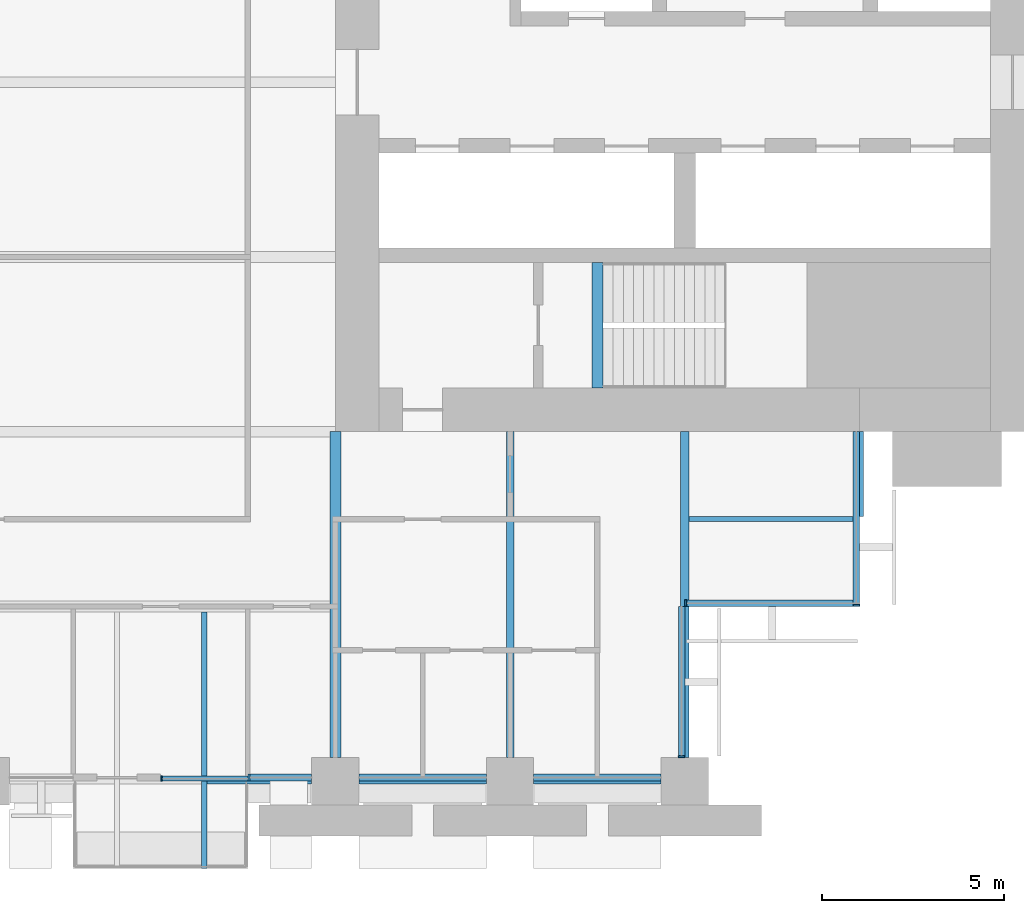
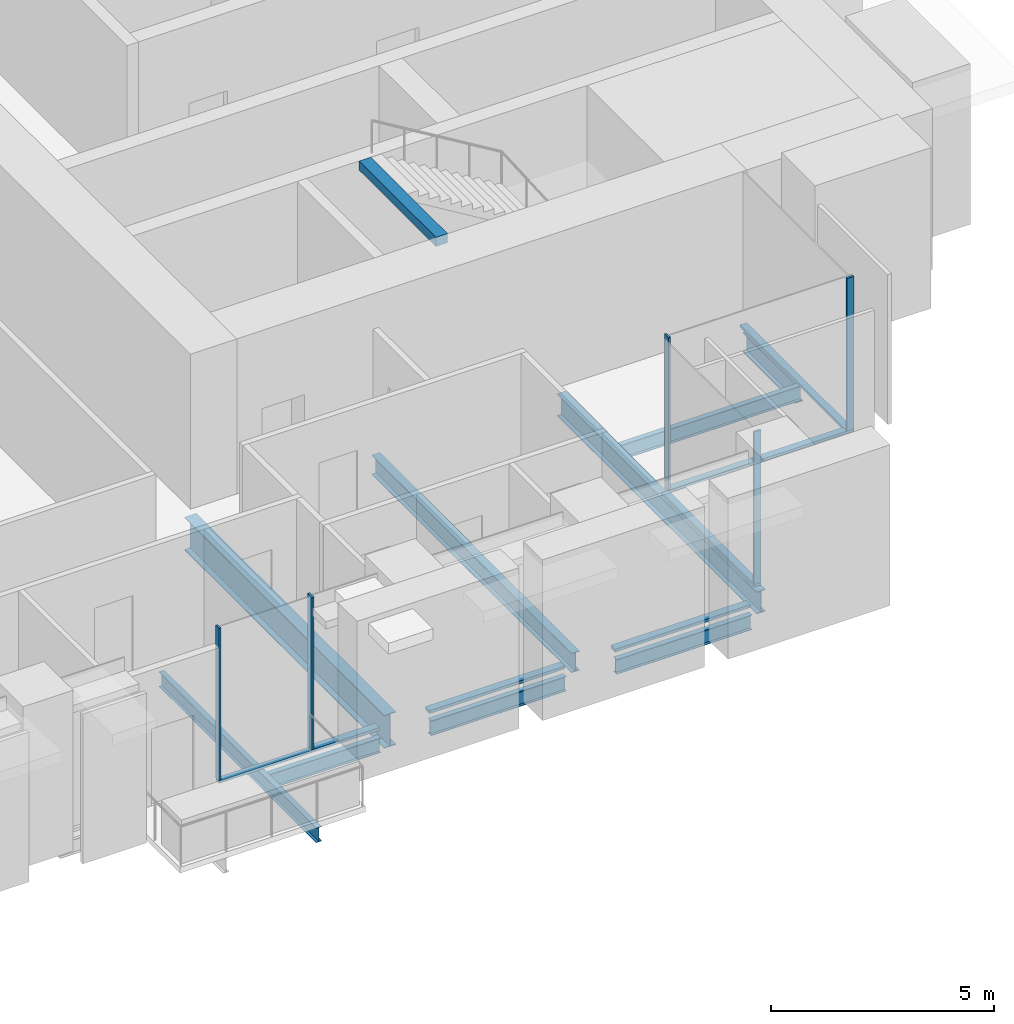
# One storey, part 4 of 15: 12 members, 10 beams, 5 elements without a shape of their own.
"""IFC4 building model written with IfcOpenShell, lengths in metres."""

from ifc_helpers import new_model, si_unit, direction, frame, origin, origin_2d, place, context, subcontext, project, spatial, rectangle, i_section, extrude, material, material_profile, profile_set, type_object, element, aggregate, save


model = new_model("IFC4")

# Units and contexts
model_context = context("Model", 3, precision=1e-05, world=origin(), true_north=direction((0.0, 1.0)))
body_context = subcontext(model_context, "Body", "Model", "MODEL_VIEW")
ifc_project = project(units=[si_unit("LENGTHUNIT", "METRE"), si_unit("AREAUNIT", "SQUARE_METRE"), si_unit("VOLUMEUNIT", "CUBIC_METRE"), si_unit("PLANEANGLEUNIT", "RADIAN"), si_unit("MASSUNIT", "GRAM", prefix="KILO")], contexts=[model_context])

# Site, building, storey
site_placement = place(None, origin())
site = spatial("IfcSite", under=ifc_project, at=site_placement, CompositionType="ELEMENT")
building_placement = place(site_placement, origin())
building = spatial("IfcBuilding", under=site, at=building_placement, Name="Baori Bourse Tower", CompositionType="ELEMENT")
storey_placement = place(building_placement, frame((0.0, 0.0, 34.60009765625)))
storey = spatial("IfcBuildingStorey", under=building, at=storey_placement, Name="L06", CompositionType="ELEMENT", Elevation=34.60009765625)

# Beam
ifc_material_1 = material(Name="Steel A992 Gr 50", Category="steel")
ifc_material_profile_1 = material_profile(ifc_material_1, i_section(OverallWidth=0.140380859375, OverallDepth=0.40380859375, WebThickness=0.007080078125, FlangeThickness=0.01123046875, at=origin_2d()), Name="W16x31")
ifc_profile_set_1 = profile_set([ifc_material_profile_1], Name="Steel A992 Gr 50")
beam_type_1 = type_object("IfcBeamType", Name="Balcony beam W16x31", PredefinedType="BEAM", material=ifc_profile_set_1)
beam_1_placement = place(storey_placement, frame((34.800048828125, -2.39990234375, -0.362060546875), z_axis=(0.0, 1.0, 0.0), x_axis=(-1.0, 0.0, 0.0)))
element("IfcBeam", 1, at=beam_1_placement, inside=storey, type_object=beam_type_1, Name="Balcony beam L06", PredefinedType="BEAM", context=body_context, shape_type="SweptSolid", body=[
    extrude(i_section(OverallWidth=0.140380859375, OverallDepth=0.40380859375, WebThickness=0.007080078125, FlangeThickness=0.01123046875, at=origin_2d()), origin(), (0.0, 0.0, 1.0), 7.050048828125),
])

# Curtain wall, members
ifc_material_2 = material(Name="Pale anodised aluminium", Category="aluminium")
curtain_wall_type_1 = type_object("IfcCurtainWallType", Name="CW1 Curtain wall", PredefinedType="NOTDEFINED", material=ifc_material_2)
curtain_wall_1_placement = place(storey_placement, origin())
curtain_wall_1 = element("IfcCurtainWall", 2, at=curtain_wall_1_placement, inside=storey, type_object=curtain_wall_type_1, Name="Curtain wall CW1 L06 16", PredefinedType="NOTDEFINED")
ifc_material_3 = material(Name="Pale anodised aluminium", Category="aluminium")
ifc_material_profile_2 = material_profile(ifc_material_3, rectangle(XDim=0.199951171875, YDim=0.06005859375, at=origin_2d()), Name="Mullion 60x200")
ifc_profile_set_2 = profile_set([ifc_material_profile_2], Name="Pale anodised aluminium")
member_type_1 = type_object("IfcMemberType", Name="CW1 Curtain wall mullion", PredefinedType="MULLION", material=ifc_profile_set_2)
member_1_placement = place(storey_placement, frame((36.030029296875, 0.10009765625, 0.079833984375), z_axis=(0.0, 0.0, 1.0), x_axis=(0.0, 1.0, 0.0)))
member_1 = element("IfcMember", 3, at=member_1_placement, type_object=member_type_1, Name="Curtain wall CW1 mullion", PredefinedType="MULLION", context=body_context, shape_type="SweptSolid", body=[
    extrude(rectangle(XDim=0.199951171875, YDim=0.06005859375, at=origin_2d()), origin(), (0.0, 0.0, 1.0), 4.16015625),
])
ifc_material_4 = material(Name="Pale anodised aluminium", Category="aluminium")
ifc_material_profile_3 = material_profile(ifc_material_4, rectangle(XDim=0.199951171875, YDim=0.080078125, at=origin_2d()), Name="Transom 80x200")
ifc_profile_set_3 = profile_set([ifc_material_profile_3], Name="Pale anodised aluminium")
member_type_2 = type_object("IfcMemberType", Name="CW1 Curtain wall transom", PredefinedType="USERDEFINED", material=ifc_profile_set_3)
member_2_placement = place(storey_placement, frame((36.0, 0.10009765625, 0.039794921875), z_axis=(1.0, 0.0, 0.0), x_axis=(0.0, 1.0, 0.0)))
member_2 = element("IfcMember", 4, at=member_2_placement, type_object=member_type_2, Name="Curtain wall CW1 sill rail", ObjectType="TRANSOM", PredefinedType="USERDEFINED", context=body_context, shape_type="SweptSolid", body=[
    extrude(rectangle(XDim=0.199951171875, YDim=0.080078125, at=origin_2d()), origin(), (0.0, 0.0, 1.0), 1.75),
])
member_3_placement = place(storey_placement, frame((39.050048828125, 0.10009765625, 0.039794921875), z_axis=(1.0, 0.0, 0.0), x_axis=(0.0, 1.0, 0.0)))
member_3 = element("IfcMember", 5, at=member_3_placement, type_object=member_type_2, Name="Curtain wall CW1 sill rail", ObjectType="TRANSOM", PredefinedType="USERDEFINED", context=body_context, shape_type="SweptSolid", body=[
    extrude(rectangle(XDim=0.199951171875, YDim=0.080078125, at=origin_2d()), origin(), (0.0, 0.0, 1.0), 3.5),
])
member_4_placement = place(storey_placement, frame((43.85009765625, 0.10009765625, 0.039794921875), z_axis=(1.0, 0.0, 0.0), x_axis=(0.0, 1.0, 0.0)))
member_4 = element("IfcMember", 6, at=member_4_placement, type_object=member_type_2, Name="Curtain wall CW1 sill rail", ObjectType="TRANSOM", PredefinedType="USERDEFINED", context=body_context, shape_type="SweptSolid", body=[
    extrude(rectangle(XDim=0.199951171875, YDim=0.080078125, at=origin_2d()), origin(), (0.0, 0.0, 1.0), 3.5),
])
aggregate(curtain_wall_1, [member_2, member_1, member_3, member_4])

# Curtain wall, member
ifc_material_5 = material(Name="Pale anodised aluminium", Category="aluminium")
curtain_wall_type_2 = type_object("IfcCurtainWallType", Name="CW2 Curtain wall", PredefinedType="NOTDEFINED", material=ifc_material_5)
curtain_wall_2_placement = place(storey_placement, origin())
curtain_wall_2 = element("IfcCurtainWall", 7, at=curtain_wall_2_placement, inside=storey, type_object=curtain_wall_type_2, Name="Curtain wall CW2 L06 17", PredefinedType="NOTDEFINED")
ifc_material_6 = material(Name="Pale anodised aluminium", Category="aluminium")
ifc_material_profile_4 = material_profile(ifc_material_6, rectangle(XDim=0.179931640625, YDim=0.054931640625, at=origin_2d()), Name="Mullion 55x180")
ifc_profile_set_4 = profile_set([ifc_material_profile_4], Name="Pale anodised aluminium")
member_type_3 = type_object("IfcMemberType", Name="CW2 Curtain wall mullion", PredefinedType="MULLION", material=ifc_profile_set_4)
member_5_placement = place(storey_placement, frame((47.909912109375, 0.677490234375, 0.06982421875), z_axis=(0.0, 0.0, 1.0), x_axis=(-1.0, 0.0, 0.0)))
member_5 = element("IfcMember", 8, at=member_5_placement, type_object=member_type_3, Name="Curtain wall CW2 mullion", PredefinedType="MULLION", context=body_context, shape_type="SweptSolid", body=[
    extrude(rectangle(XDim=0.179931640625, YDim=0.054931640625, at=origin_2d()), origin(), (0.0, 0.0, 1.0), 4.170166015625),
])

curtain_wall_3_placement = place(storey_placement, origin())
curtain_wall_3 = element("IfcCurtainWall", 9, at=curtain_wall_3_placement, inside=storey, type_object=curtain_wall_type_2, Name="Curtain wall CW2 L06 18", PredefinedType="NOTDEFINED")
member_6_placement = place(storey_placement, frame((48.027587890625, 4.889892578125, 0.06982421875), z_axis=(0.0, 0.0, 1.0), x_axis=(0.0, 1.0, 0.0)))
member_6 = element("IfcMember", 10, at=member_6_placement, type_object=member_type_3, Name="Curtain wall CW2 mullion", PredefinedType="MULLION", context=body_context, shape_type="SweptSolid", body=[
    extrude(rectangle(XDim=0.179931640625, YDim=0.054931640625, at=origin_2d()), origin(), (0.0, 0.0, 1.0), 4.170166015625),
])

curtain_wall_4_placement = place(storey_placement, origin())
curtain_wall_4 = element("IfcCurtainWall", 11, at=curtain_wall_4_placement, inside=storey, type_object=curtain_wall_type_2, Name="Curtain wall CW2 L06 19", PredefinedType="NOTDEFINED")
member_7_placement = place(storey_placement, frame((52.7099609375, 4.827392578125, 0.06982421875), z_axis=(0.0, 0.0, 1.0), x_axis=(-1.0, 0.0, 0.0)))
member_7 = element("IfcMember", 12, at=member_7_placement, type_object=member_type_3, Name="Curtain wall CW2 mullion", PredefinedType="MULLION", context=body_context, shape_type="SweptSolid", body=[
    extrude(rectangle(XDim=0.179931640625, YDim=0.054931640625, at=origin_2d()), origin(), (0.0, 0.0, 1.0), 4.170166015625),
])

# Member
ifc_material_7 = material(Name="Pale anodised aluminium", Category="aluminium")
ifc_material_profile_5 = material_profile(ifc_material_7, rectangle(XDim=0.179931640625, YDim=0.070068359375, at=origin_2d()), Name="Transom 70x180")
ifc_profile_set_5 = profile_set([ifc_material_profile_5], Name="Pale anodised aluminium")
member_type_4 = type_object("IfcMemberType", Name="CW2 Curtain wall transom", PredefinedType="USERDEFINED", material=ifc_profile_set_5)
member_8_placement = place(storey_placement, frame((47.909912109375, 0.64990234375, 0.034912109375), z_axis=(0.0, 1.0, 0.0), x_axis=(-1.0, 0.0, 0.0)))
member_8 = element("IfcMember", 13, at=member_8_placement, type_object=member_type_4, Name="Curtain wall CW2 sill rail", ObjectType="TRANSOM", PredefinedType="USERDEFINED", context=body_context, shape_type="SweptSolid", body=[
    extrude(rectangle(XDim=0.179931640625, YDim=0.070068359375, at=origin_2d()), origin(), (0.0, 0.0, 1.0), 4.150146484375),
])

aggregate(curtain_wall_2, [member_8, member_5])

member_9_placement = place(storey_placement, frame((48.0, 4.889892578125, 0.034912109375), z_axis=(1.0, 0.0, 0.0), x_axis=(0.0, 1.0, 0.0)))
member_9 = element("IfcMember", 14, at=member_9_placement, type_object=member_type_4, Name="Curtain wall CW2 sill rail", ObjectType="TRANSOM", PredefinedType="USERDEFINED", context=body_context, shape_type="SweptSolid", body=[
    extrude(rectangle(XDim=0.179931640625, YDim=0.070068359375, at=origin_2d()), origin(), (0.0, 0.0, 1.0), 4.800048828125),
])

aggregate(curtain_wall_3, [member_9, member_6])

member_10_placement = place(storey_placement, frame((52.7099609375, 4.800048828125, 0.034912109375), z_axis=(0.0, 1.0, 0.0), x_axis=(-1.0, 0.0, 0.0)))
member_10 = element("IfcMember", 15, at=member_10_placement, type_object=member_type_4, Name="Curtain wall CW2 sill rail", ObjectType="TRANSOM", PredefinedType="USERDEFINED", context=body_context, shape_type="SweptSolid", body=[
    extrude(rectangle(XDim=0.179931640625, YDim=0.070068359375, at=origin_2d()), origin(), (0.0, 0.0, 1.0), 4.800048828125),
])

aggregate(curtain_wall_4, [member_10, member_7])

# Curtain wall, members
ifc_material_8 = material(Name="Pale anodised aluminium", Category="aluminium")
curtain_wall_type_3 = type_object("IfcCurtainWallType", Name="CW6 Curtain wall", PredefinedType="NOTDEFINED", material=ifc_material_8)
curtain_wall_5_placement = place(storey_placement, origin())
curtain_wall_5 = element("IfcCurtainWall", 16, at=curtain_wall_5_placement, inside=storey, type_object=curtain_wall_type_3, Name="Curtain wall CW6 L06 15", PredefinedType="NOTDEFINED")
ifc_material_9 = material(Name="Pale anodised aluminium", Category="aluminium")
ifc_material_profile_6 = material_profile(ifc_material_9, rectangle(XDim=0.14990234375, YDim=0.050048828125, at=origin_2d()), Name="Mullion 50x150")
ifc_profile_set_6 = profile_set([ifc_material_profile_6], Name="Pale anodised aluminium")
member_type_5 = type_object("IfcMemberType", Name="CW6 Curtain wall mullion", PredefinedType="MULLION", material=ifc_profile_set_6)
member_11_placement = place(storey_placement, frame((33.625, 0.074951171875, 0.06494140625), z_axis=(0.0, 0.0, 1.0), x_axis=(0.0, 1.0, 0.0)))
member_11 = element("IfcMember", 17, at=member_11_placement, type_object=member_type_5, Name="Curtain wall CW6 mullion", PredefinedType="MULLION", context=body_context, shape_type="SweptSolid", body=[
    extrude(rectangle(XDim=0.14990234375, YDim=0.050048828125, at=origin_2d()), origin(), (0.0, 0.0, 1.0), 4.175048828125),
])
ifc_material_10 = material(Name="Pale anodised aluminium", Category="aluminium")
ifc_material_profile_7 = material_profile(ifc_material_10, rectangle(XDim=0.14990234375, YDim=0.06494140625, at=origin_2d()), Name="Transom 65x150")
ifc_profile_set_7 = profile_set([ifc_material_profile_7], Name="Pale anodised aluminium")
member_type_6 = type_object("IfcMemberType", Name="CW6 Curtain wall transom", PredefinedType="USERDEFINED", material=ifc_profile_set_7)
member_12_placement = place(storey_placement, frame((33.60009765625, 0.074951171875, 0.032470703125), z_axis=(1.0, 0.0, 0.0), x_axis=(0.0, 1.0, 0.0)))
member_12 = element("IfcMember", 18, at=member_12_placement, type_object=member_type_6, Name="Curtain wall CW6 sill rail", ObjectType="TRANSOM", PredefinedType="USERDEFINED", context=body_context, shape_type="SweptSolid", body=[
    extrude(rectangle(XDim=0.14990234375, YDim=0.06494140625, at=origin_2d()), origin(), (0.0, 0.0, 1.0), 2.39990234375),
])
aggregate(curtain_wall_5, [member_12, member_11])

# Beams
ifc_material_11 = material(Name="Steel A992 Gr 50", Category="steel")
ifc_material_profile_8 = material_profile(ifc_material_11, i_section(OverallWidth=0.21240234375, OverallDepth=0.54345703125, WebThickness=0.01318359375, FlangeThickness=0.021240234375, at=origin_2d()), Name="W21x83")
ifc_profile_set_8 = profile_set([ifc_material_profile_8], Name="Steel A992 Gr 50")
beam_type_2 = type_object("IfcBeamType", Name="Core bracket W21x83", PredefinedType="BEAM", material=ifc_profile_set_8)
beam_2_placement = place(storey_placement, frame((52.800048828125, 7.270263671875, -0.431884765625), z_axis=(0.0, 1.0, 0.0), x_axis=(-1.0, 0.0, 0.0)))
element("IfcBeam", 19, at=beam_2_placement, inside=storey, type_object=beam_type_2, Name="Core bracket L06", PredefinedType="BEAM", context=body_context, shape_type="SweptSolid", body=[
    extrude(i_section(OverallWidth=0.21240234375, OverallDepth=0.54345703125, WebThickness=0.01318359375, FlangeThickness=0.021240234375, at=origin_2d()), origin(), (0.0, 0.0, 1.0), 2.329833984375),
])
ifc_material_12 = material(Name="Steel A992 Gr 50", Category="steel")
ifc_material_profile_9 = material_profile(ifc_material_12, i_section(OverallWidth=0.140380859375, OverallDepth=0.40380859375, WebThickness=0.007080078125, FlangeThickness=0.01123046875, at=origin_2d()), Name="W16x31")
ifc_profile_set_9 = profile_set([ifc_material_profile_9], Name="Steel A992 Gr 50")
beam_type_3 = type_object("IfcBeamType", Name="Edge beam W16x31", PredefinedType="BEAM", material=ifc_profile_set_9)
beam_3_placement = place(storey_placement, frame((34.8701171875, 0.0, -0.362060546875), z_axis=(1.0, 0.0, 0.0), x_axis=(0.0, 1.0, 0.0)))
element("IfcBeam", 20, at=beam_3_placement, inside=storey, type_object=beam_type_3, Name="Edge beam L06", PredefinedType="BEAM", context=body_context, shape_type="SweptSolid", body=[
    extrude(i_section(OverallWidth=0.140380859375, OverallDepth=0.40380859375, WebThickness=0.007080078125, FlangeThickness=0.01123046875, at=origin_2d()), origin(), (0.0, 0.0, 1.0), 2.8798828125),
])
for number, where, z_axis, x_axis, name in (
    (21, (39.050048828125, 0.0, -0.362060546875), (1.0, 0.0, 0.0), (0.0, 1.0, 0.0), "Edge beam L06"),
    (22, (43.85009765625, 0.0, -0.362060546875), (1.0, 0.0, 0.0), (0.0, 1.0, 0.0), "Edge beam L06"),
):
    element("IfcBeam", number, at=place(storey_placement, frame(where, z_axis=z_axis, x_axis=x_axis)), inside=storey, type_object=beam_type_3, Name=name, PredefinedType="BEAM", context=body_context, shape_type="SweptSolid", body=[
        extrude(i_section(OverallWidth=0.140380859375, OverallDepth=0.40380859375, WebThickness=0.007080078125, FlangeThickness=0.01123046875, at=origin_2d()), origin(), (0.0, 0.0, 1.0), 3.5),
    ])
ifc_material_13 = material(Name="Steel A992 Gr 50", Category="steel")
ifc_material_profile_10 = material_profile(ifc_material_13, i_section(OverallWidth=0.209228515625, OverallDepth=0.533447265625, WebThickness=0.01025390625, FlangeThickness=0.015625, at=origin_2d()), Name="W21x62")
ifc_profile_set_10 = profile_set([ifc_material_profile_10], Name="Steel A992 Gr 50")
beam_type_4 = type_object("IfcBeamType", Name="Floor beam W21x62", PredefinedType="BEAM", material=ifc_profile_set_10)
beam_4_placement = place(storey_placement, frame((43.199951171875, 0.64990234375, -0.4267578125), z_axis=(0.0, 1.0, 0.0), x_axis=(-1.0, 0.0, 0.0)))
element("IfcBeam", 23, at=beam_4_placement, inside=storey, type_object=beam_type_4, Name="Floor beam L06", PredefinedType="BEAM", context=body_context, shape_type="SweptSolid", body=[
    extrude(i_section(OverallWidth=0.209228515625, OverallDepth=0.533447265625, WebThickness=0.01025390625, FlangeThickness=0.015625, at=origin_2d()), origin(), (0.0, 0.0, 1.0), 8.9501953125),
])
ifc_material_14 = material(Name="Steel A992 Gr 50", Category="steel")
ifc_material_profile_11 = material_profile(ifc_material_14, i_section(OverallWidth=0.227783203125, OverallDepth=0.60205078125, WebThickness=0.010498046875, FlangeThickness=0.014892578125, at=origin_2d()), Name="W24x68")
ifc_profile_set_11 = profile_set([ifc_material_profile_11], Name="Steel A992 Gr 50")
beam_type_5 = type_object("IfcBeamType", Name="Floor beam W24x68", PredefinedType="BEAM", material=ifc_profile_set_11)
beam_5_placement = place(storey_placement, frame((48.0, 0.64990234375, -0.461181640625), z_axis=(0.0, 1.0, 0.0), x_axis=(-1.0, 0.0, 0.0)))
element("IfcBeam", 24, at=beam_5_placement, inside=storey, type_object=beam_type_5, Name="Floor beam L06", PredefinedType="BEAM", context=body_context, shape_type="SweptSolid", body=[
    extrude(i_section(OverallWidth=0.227783203125, OverallDepth=0.60205078125, WebThickness=0.010498046875, FlangeThickness=0.014892578125, at=origin_2d()), origin(), (0.0, 0.0, 1.0), 8.9501953125),
])
ifc_material_15 = material(Name="Steel A992 Gr 50", Category="steel")
ifc_material_profile_12 = material_profile(ifc_material_15, i_section(OverallWidth=0.3046875, OverallDepth=0.904296875, WebThickness=0.01513671875, FlangeThickness=0.02001953125, at=origin_2d()), Name="W36x135")
ifc_profile_set_12 = profile_set([ifc_material_profile_12], Name="Steel A992 Gr 50")
beam_type_6 = type_object("IfcBeamType", Name="Girder W36x135", PredefinedType="BEAM", material=ifc_profile_set_12)
beam_6_placement = place(storey_placement, frame((38.39990234375, 0.64990234375, -0.6123046875), z_axis=(0.0, 1.0, 0.0), x_axis=(-1.0, 0.0, 0.0)))
element("IfcBeam", 25, at=beam_6_placement, inside=storey, type_object=beam_type_6, Name="Girder L06", PredefinedType="BEAM", context=body_context, shape_type="SweptSolid", body=[
    extrude(i_section(OverallWidth=0.3046875, OverallDepth=0.904296875, WebThickness=0.01513671875, FlangeThickness=0.02001953125, at=origin_2d()), origin(), (0.0, 0.0, 1.0), 8.9501953125),
])
ifc_material_16 = material(Name="Concrete f'c 50 MPa", Category="concrete")
ifc_material_profile_13 = material_profile(ifc_material_16, rectangle(XDim=0.300048828125, YDim=0.25, at=origin_2d()), Name="RC 300x250")
ifc_profile_set_13 = profile_set([ifc_material_profile_13], Name="Concrete f'c 50 MPa")
beam_type_7 = type_object("IfcBeamType", Name="Stair nib beam RC 300x250", PredefinedType="BEAM", material=ifc_profile_set_13)
beam_7_placement = place(storey_placement, frame((45.60009765625, 10.800048828125, 4.114990234375), z_axis=(0.0, 1.0, 0.0), x_axis=(-1.0, 0.0, 0.0)))
element("IfcBeam", 26, at=beam_7_placement, inside=storey, type_object=beam_type_7, Name="Stair EA nib beam L07", PredefinedType="BEAM", context=body_context, shape_type="SweptSolid", body=[
    extrude(rectangle(XDim=0.300048828125, YDim=0.25, at=origin_2d()), origin(), (0.0, 0.0, 1.0), 3.449951171875),
])
ifc_material_17 = material(Name="Steel A992 Gr 50", Category="steel")
ifc_material_profile_14 = material_profile(ifc_material_17, i_section(OverallWidth=0.140380859375, OverallDepth=0.40380859375, WebThickness=0.007080078125, FlangeThickness=0.01123046875, at=origin_2d()), Name="W16x31")
ifc_profile_set_14 = profile_set([ifc_material_profile_14], Name="Steel A992 Gr 50")
beam_type_8 = type_object("IfcBeamType", Name="Trimmer beam W16x31", PredefinedType="BEAM", material=ifc_profile_set_14)
beam_8_placement = place(storey_placement, frame((48.114013671875, 7.199951171875, -0.362060546875), z_axis=(1.0, 0.0, 0.0), x_axis=(0.0, 1.0, 0.0)))
element("IfcBeam", 27, at=beam_8_placement, inside=storey, type_object=beam_type_8, Name="Trimmer beam L06", PredefinedType="BEAM", context=body_context, shape_type="SweptSolid", body=[
    extrude(i_section(OverallWidth=0.140380859375, OverallDepth=0.40380859375, WebThickness=0.007080078125, FlangeThickness=0.01123046875, at=origin_2d()), origin(), (0.0, 0.0, 1.0), 4.68603515625),
])

save(model, "model.ifc")
